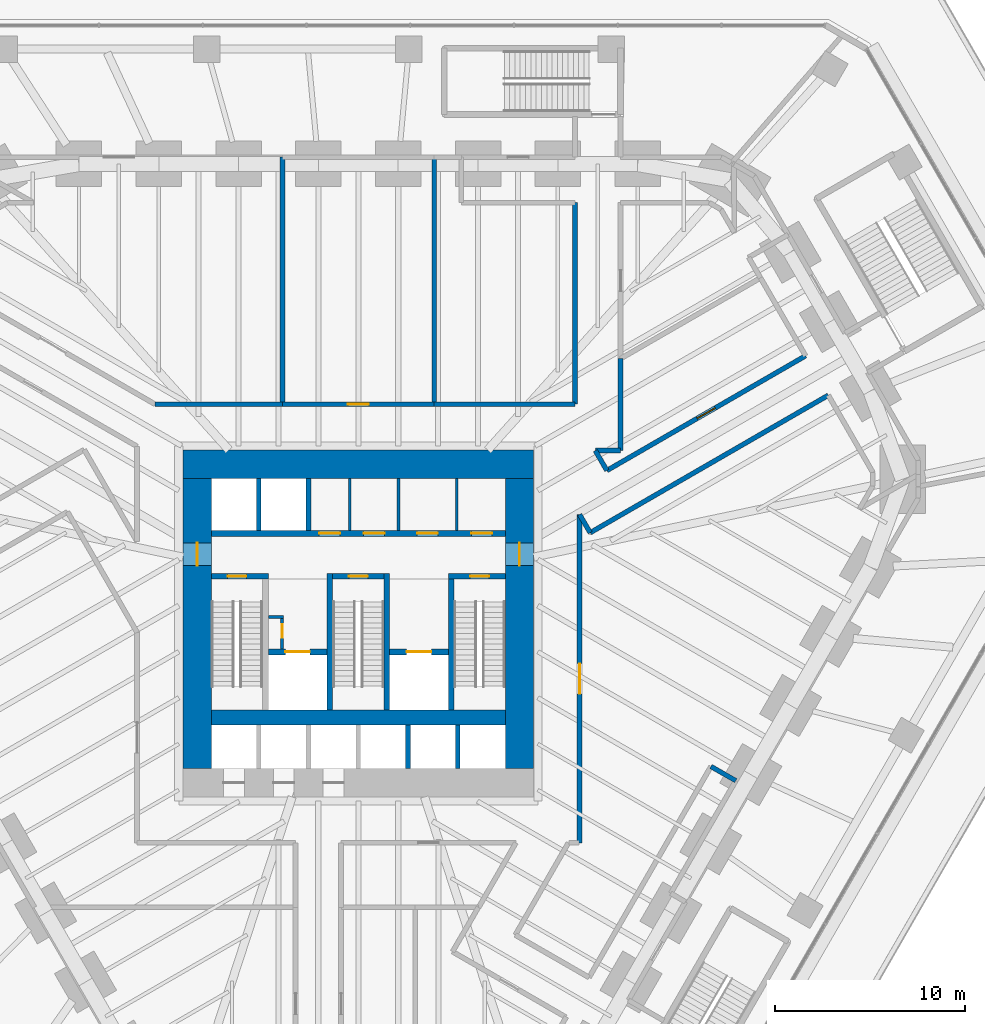
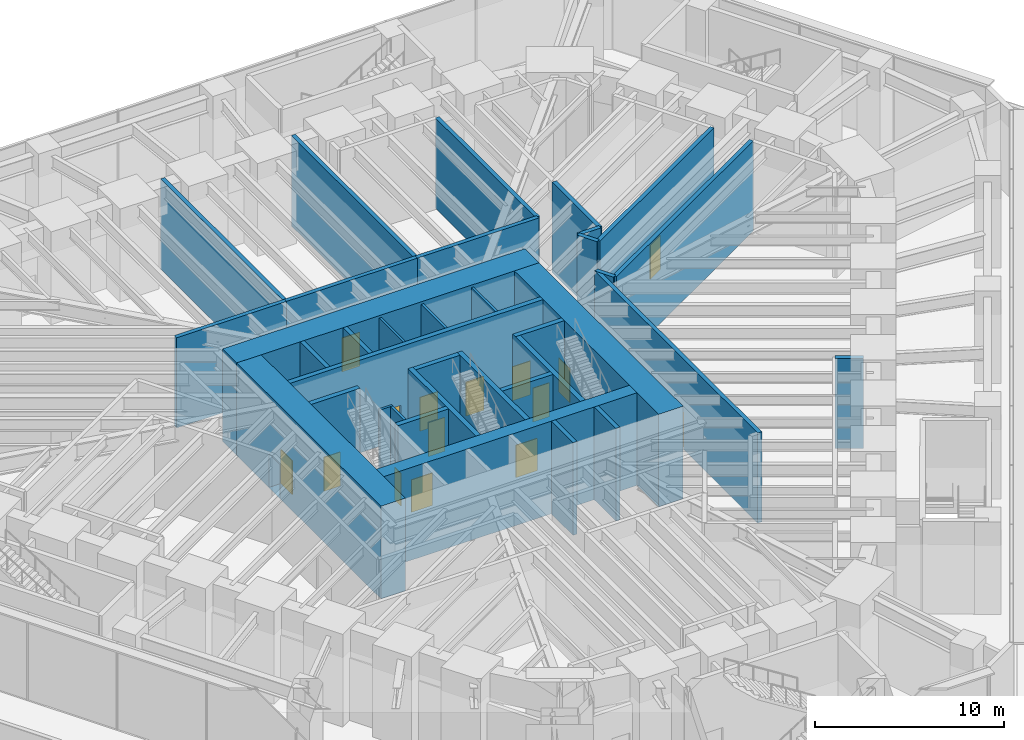
# One storey, part 16 of 24: 36 walls, 15 doors, 15 openings.
"""IFC4 building model written with IfcOpenShell, lengths in metres."""

from ifc_helpers import new_model, si_unit, direction, frame, frame_2d, origin, place, context, subcontext, project, spatial, rectangle, extrude, material, layer, layer_set, type_object, element, fill, save


model = new_model("IFC4")

# Units and contexts
model_context = context("Model", 3, precision=1e-05, world=origin(), true_north=direction((0.0, 1.0)))
body_context = subcontext(model_context, "Body", "Model", "MODEL_VIEW")
ifc_project = project(units=[si_unit("LENGTHUNIT", "METRE"), si_unit("AREAUNIT", "SQUARE_METRE"), si_unit("VOLUMEUNIT", "CUBIC_METRE"), si_unit("PLANEANGLEUNIT", "RADIAN"), si_unit("MASSUNIT", "GRAM", prefix="KILO")], contexts=[model_context])

# Site, building, storey
site_placement = place(None, origin())
site = spatial("IfcSite", under=ifc_project, at=site_placement, CompositionType="ELEMENT")
building_placement = place(site_placement, origin())
building = spatial("IfcBuilding", under=site, at=building_placement, Name="Sandreach Pilgrim Tower", CompositionType="ELEMENT")
storey_placement = place(building_placement, frame((0.0, 0.0, 12.0)))
storey = spatial("IfcBuildingStorey", under=building, at=storey_placement, Name="L02", CompositionType="ELEMENT", Elevation=12.0)

# Walls
ifc_material_1 = material(Name="Gypsum board on steel studs", Category="steel")
ifc_layer_1 = layer(ifc_material_1, 0.14990234375)
ifc_layer_set_1 = layer_set([ifc_layer_1], Name="Back of house wall 150")
wall_type_1 = type_object("IfcWallType", Name="Back of house wall 150", PredefinedType="PARTITIONING", material=ifc_layer_set_1)
for number, where, z_axis, x_axis, name in (
    (1, (-0.449951171875, 3.35009765625, 0.0), (0.0, 0.0, 1.0), (0.0, 1.0, 0.0), "Core room partition L02 1"),
    (2, (2.112548828125, 3.35009765625, 0.0), (0.0, 0.0, 1.0), (0.0, 1.0, 0.0), "Core room partition L02 2"),
    (3, (5.1875, 3.35009765625, 0.0), (0.0, 0.0, 1.0), (0.0, 1.0, 0.0), "Core room partition L02 3"),
):
    element("IfcWall", number, at=place(storey_placement, frame(where, z_axis=z_axis, x_axis=x_axis)), inside=storey, type_object=wall_type_1, Name=name, PredefinedType="PARTITIONING", context=body_context, shape_type="SweptSolid", body=[
        extrude(rectangle(XDim=2.75, YDim=0.14990234375, at=frame_2d((1.375, 0.0))), origin(), (0.0, 0.0, 1.0), 5.840087890625),
    ])
ifc_material_2 = material(Name="Concrete 10000 psi", Category="concrete")
ifc_layer_2 = layer(ifc_material_2, 0.300048828125)
ifc_layer_set_2 = layer_set([ifc_layer_2], Name="Core inner wall 300")
wall_type_2 = type_object("IfcWallType", Name="Core inner wall 300", PredefinedType="SHEAR", material=ifc_layer_set_2)
for number, where, z_axis, x_axis, name in (
    (4, (-1.5, -6.10009765625, 0.0), (0.0, 0.0, 1.0), (0.0, 1.0, 0.0), "Core wall I1 L02"),
    (5, (1.5, -6.10009765625, 0.0), (0.0, 0.0, 1.0), (0.0, 1.0, 0.0), "Core wall I2 L02"),
    (6, (4.89990234375, -6.10009765625, 0.0), (0.0, 0.0, 1.0), (0.0, 1.0, 0.0), "Core wall I3 L02"),
):
    element("IfcWall", number, at=place(storey_placement, frame(where, z_axis=z_axis, x_axis=x_axis)), inside=storey, type_object=wall_type_2, Name=name, PredefinedType="SHEAR", context=body_context, shape_type="SweptSolid", body=[
        extrude(rectangle(XDim=7.2001953125, YDim=0.300048828125, at=frame_2d((3.60009765625, 0.0))), origin(), (0.0, 0.0, 1.0), 6.0),
    ])

# Wall, opening, door
wall_1_placement = place(storey_placement, frame((-7.75, 0.949951171875, 0.0), z_axis=(0.0, 0.0, 1.0), x_axis=(1.0, 0.0, 0.0)))
wall_1 = element("IfcWall", 7, at=wall_1_placement, inside=storey, type_object=wall_type_2, Name="Core wall SN1 L02", PredefinedType="SHEAR", context=body_context, shape_type="SweptSolid", body=[
    extrude(rectangle(XDim=3.0, YDim=0.300048828125, at=frame_2d((1.5, 0.0))), origin(), (0.0, 0.0, 1.0), 6.0),
])
opening_1_placement = place(wall_1_placement, frame((0.85009765625, 0.0, 0.0)))
opening_1 = element("IfcOpeningElement", 8, at=opening_1_placement, cuts=wall_1, Name="Opening D10S-ST1", PredefinedType="OPENING", context=body_context, shape_type="SweptSolid", body=[
    extrude(rectangle(XDim=1.0, YDim=2.199951171875, at=frame_2d((0.5, 1.10009765625))), frame((0.0, 0.14990234375, 0.0), z_axis=(0.0, -1.0, 0.0), x_axis=(1.0, 0.0, 0.0)), (0.0, 0.0, 1.0), 0.300048828125),
])
ifc_material_3 = material(Name="Steel door and frame", Category="steel")
door_type_1 = type_object("IfcDoorType", Name="Stair door", OperationType="SINGLE_SWING_LEFT", PredefinedType="DOOR", material=ifc_material_3)
door_1_placement = place(opening_1_placement, origin())
door_1 = element("IfcDoor", 9, at=door_1_placement, inside=storey, type_object=door_type_1, Name="Stair door ST1 L02", OperationType="SINGLE_SWING_LEFT", OverallHeight=2.199951171875, OverallWidth=1.0, PredefinedType="DOOR", context=body_context, shape_type="SweptSolid", body=[
    extrude(rectangle(XDim=1.0, YDim=2.199951171875, at=frame_2d((0.5, 1.10009765625))), frame((0.0, 0.02490234375, 0.0), z_axis=(0.0, -1.0, 0.0), x_axis=(1.0, 0.0, 0.0)), (0.0, 0.0, 1.0), 0.050048828125),
])
fill(opening_1, door_1)

wall_2_placement = place(storey_placement, frame((-1.35009765625, 0.949951171875, 0.0), z_axis=(0.0, 0.0, 1.0), x_axis=(1.0, 0.0, 0.0)))
wall_2 = element("IfcWall", 10, at=wall_2_placement, inside=storey, type_object=wall_type_2, Name="Core wall SN3 L02", PredefinedType="SHEAR", context=body_context, shape_type="SweptSolid", body=[
    extrude(rectangle(XDim=2.7001953125, YDim=0.300048828125, at=frame_2d((1.35009765625, 0.0))), origin(), (0.0, 0.0, 1.0), 6.0),
])
opening_2_placement = place(wall_2_placement, frame((0.85009765625, 0.0, 0.0)))
opening_2 = element("IfcOpeningElement", 11, at=opening_2_placement, cuts=wall_2, Name="Opening D10S-ST3", PredefinedType="OPENING", context=body_context, shape_type="SweptSolid", body=[
    extrude(rectangle(XDim=1.0, YDim=2.199951171875, at=frame_2d((0.5, 1.10009765625))), frame((0.0, 0.14990234375, 0.0), z_axis=(0.0, -1.0, 0.0), x_axis=(1.0, 0.0, 0.0)), (0.0, 0.0, 1.0), 0.300048828125),
])
door_2_placement = place(opening_2_placement, origin())
door_2 = element("IfcDoor", 12, at=door_2_placement, inside=storey, type_object=door_type_1, Name="Stair door ST3 L02", OperationType="SINGLE_SWING_LEFT", OverallHeight=2.199951171875, OverallWidth=1.0, PredefinedType="DOOR", context=body_context, shape_type="SweptSolid", body=[
    extrude(rectangle(XDim=1.0, YDim=2.199951171875, at=frame_2d((0.5, 1.10009765625))), frame((0.0, 0.02490234375, 0.0), z_axis=(0.0, -1.0, 0.0), x_axis=(1.0, 0.0, 0.0)), (0.0, 0.0, 1.0), 0.050048828125),
])
fill(opening_2, door_2)

wall_3_placement = place(storey_placement, frame((4.75, 0.949951171875, 0.0), z_axis=(0.0, 0.0, 1.0), x_axis=(1.0, 0.0, 0.0)))
wall_3 = element("IfcWall", 13, at=wall_3_placement, inside=storey, type_object=wall_type_2, Name="Core wall SN2 L02", PredefinedType="SHEAR", context=body_context, shape_type="SweptSolid", body=[
    extrude(rectangle(XDim=3.0, YDim=0.300048828125, at=frame_2d((1.5, 0.0))), origin(), (0.0, 0.0, 1.0), 6.0),
])
opening_3_placement = place(wall_3_placement, frame((1.14990234375, 0.0, 0.0)))
opening_3 = element("IfcOpeningElement", 14, at=opening_3_placement, cuts=wall_3, Name="Opening D10S-ST2", PredefinedType="OPENING", context=body_context, shape_type="SweptSolid", body=[
    extrude(rectangle(XDim=1.0, YDim=2.199951171875, at=frame_2d((0.5, 1.10009765625))), frame((0.0, 0.14990234375, 0.0), z_axis=(0.0, -1.0, 0.0), x_axis=(1.0, 0.0, 0.0)), (0.0, 0.0, 1.0), 0.300048828125),
])
door_3_placement = place(opening_3_placement, origin())
door_3 = element("IfcDoor", 15, at=door_3_placement, inside=storey, type_object=door_type_1, Name="Stair door ST2 L02", OperationType="SINGLE_SWING_RIGHT", OverallHeight=2.199951171875, OverallWidth=1.0, PredefinedType="DOOR", context=body_context, shape_type="SweptSolid", body=[
    extrude(rectangle(XDim=1.0, YDim=2.199951171875, at=frame_2d((0.5, 1.10009765625))), frame((0.0, 0.02490234375, 0.0), z_axis=(0.0, -1.0, 0.0), x_axis=(1.0, 0.0, 0.0)), (0.0, 0.0, 1.0), 0.050048828125),
])
fill(opening_3, door_3)

wall_4_placement = place(storey_placement, frame((-4.75, -3.050048828125, 0.0), z_axis=(0.0, 0.0, 1.0), x_axis=(1.0, 0.0, 0.0)))
wall_4 = element("IfcWall", 16, at=wall_4_placement, inside=storey, type_object=wall_type_2, Name="Core wall FL1 L02", PredefinedType="SHEAR", context=body_context, shape_type="SweptSolid", body=[
    extrude(rectangle(XDim=3.10009765625, YDim=0.300048828125, at=frame_2d((1.550048828125, 0.0))), origin(), (0.0, 0.0, 1.0), 6.0),
])
opening_4_placement = place(wall_4_placement, frame((0.89990234375, 0.0, 0.0)))
opening_4 = element("IfcOpeningElement", 17, at=opening_4_placement, cuts=wall_4, Name="Opening LD13", PredefinedType="OPENING", context=body_context, shape_type="SweptSolid", body=[
    extrude(rectangle(XDim=1.300048828125, YDim=2.10009765625, at=frame_2d((0.64990234375, 1.050048828125))), frame((0.0, 0.14990234375, 0.0), z_axis=(0.0, -1.0, 0.0), x_axis=(1.0, 0.0, 0.0)), (0.0, 0.0, 1.0), 0.300048828125),
])
ifc_material_4 = material(Name="Steel door and frame", Category="steel")
door_type_2 = type_object("IfcDoorType", Name="Fire service lift landing door", OperationType="DOUBLE_DOOR_SLIDING", PredefinedType="DOOR", material=ifc_material_4)
door_4_placement = place(opening_4_placement, origin())
door_4 = element("IfcDoor", 18, at=door_4_placement, inside=storey, type_object=door_type_2, Name="Lift landing door FS1 L02", OperationType="DOUBLE_DOOR_SLIDING", OverallHeight=2.10009765625, OverallWidth=1.300048828125, PredefinedType="DOOR", context=body_context, shape_type="SweptSolid", body=[
    extrude(rectangle(XDim=1.300048828125, YDim=2.10009765625, at=frame_2d((0.64990234375, 1.050048828125))), frame((0.0, 0.02490234375, 0.0), z_axis=(0.0, -1.0, 0.0), x_axis=(1.0, 0.0, 0.0)), (0.0, 0.0, 1.0), 0.050048828125),
])
fill(opening_4, door_4)

wall_5_placement = place(storey_placement, frame((1.64990234375, -3.050048828125, 0.0), z_axis=(0.0, 0.0, 1.0), x_axis=(1.0, 0.0, 0.0)))
wall_5 = element("IfcWall", 19, at=wall_5_placement, inside=storey, type_object=wall_type_2, Name="Core wall FL2 L02", PredefinedType="SHEAR", context=body_context, shape_type="SweptSolid", body=[
    extrude(rectangle(XDim=3.10009765625, YDim=0.300048828125, at=frame_2d((1.550048828125, 0.0))), origin(), (0.0, 0.0, 1.0), 6.0),
])
opening_5_placement = place(wall_5_placement, frame((0.89990234375, 0.0, 0.0)))
opening_5 = element("IfcOpeningElement", 20, at=opening_5_placement, cuts=wall_5, Name="Opening LD13", PredefinedType="OPENING", context=body_context, shape_type="SweptSolid", body=[
    extrude(rectangle(XDim=1.300048828125, YDim=2.10009765625, at=frame_2d((0.64990234375, 1.050048828125))), frame((0.0, 0.14990234375, 0.0), z_axis=(0.0, -1.0, 0.0), x_axis=(1.0, 0.0, 0.0)), (0.0, 0.0, 1.0), 0.300048828125),
])
door_5_placement = place(opening_5_placement, origin())
door_5 = element("IfcDoor", 21, at=door_5_placement, inside=storey, type_object=door_type_2, Name="Lift landing door FS2 L02", OperationType="DOUBLE_DOOR_SLIDING", OverallHeight=2.10009765625, OverallWidth=1.300048828125, PredefinedType="DOOR", context=body_context, shape_type="SweptSolid", body=[
    extrude(rectangle(XDim=1.300048828125, YDim=2.10009765625, at=frame_2d((0.64990234375, 1.050048828125))), frame((0.0, 0.02490234375, 0.0), z_axis=(0.0, -1.0, 0.0), x_axis=(1.0, 0.0, 0.0)), (0.0, 0.0, 1.0), 0.050048828125),
])
fill(opening_5, door_5)

# Wall, openings, doors
wall_6_placement = place(storey_placement, frame((-7.75, 3.199951171875, 0.0), z_axis=(0.0, 0.0, 1.0), x_axis=(1.0, 0.0, 0.0)))
wall_6 = element("IfcWall", 22, at=wall_6_placement, inside=storey, type_object=wall_type_2, Name="Core wall PN L02", PredefinedType="SHEAR", context=body_context, shape_type="SweptSolid", body=[
    extrude(rectangle(XDim=15.5, YDim=0.300048828125, at=frame_2d((7.75, 0.0))), origin(), (0.0, 0.0, 1.0), 6.0),
])
opening_6_placement = place(wall_6_placement, frame((5.6875, 0.0, 0.0)))
opening_6 = element("IfcOpeningElement", 23, at=opening_6_placement, cuts=wall_6, Name="Opening D11L", PredefinedType="OPENING", context=body_context, shape_type="SweptSolid", body=[
    extrude(rectangle(XDim=1.10009765625, YDim=2.199951171875, at=frame_2d((0.550048828125, 1.10009765625))), frame((0.0, 0.14990234375, 0.0), z_axis=(0.0, -1.0, 0.0), x_axis=(1.0, 0.0, 0.0)), (0.0, 0.0, 1.0), 0.300048828125),
])
opening_7_placement = place(wall_6_placement, frame((8.03125, 0.0, 0.0)))
opening_7 = element("IfcOpeningElement", 24, at=opening_7_placement, cuts=wall_6, Name="Opening D11L", PredefinedType="OPENING", context=body_context, shape_type="SweptSolid", body=[
    extrude(rectangle(XDim=1.10009765625, YDim=2.199951171875, at=frame_2d((0.550048828125, 1.10009765625))), frame((0.0, 0.14990234375, 0.0), z_axis=(0.0, -1.0, 0.0), x_axis=(1.0, 0.0, 0.0)), (0.0, 0.0, 1.0), 0.300048828125),
])
opening_8_placement = place(wall_6_placement, frame((10.85009765625, 0.0, 0.0)))
opening_8 = element("IfcOpeningElement", 25, at=opening_8_placement, cuts=wall_6, Name="Opening D11L", PredefinedType="OPENING", context=body_context, shape_type="SweptSolid", body=[
    extrude(rectangle(XDim=1.10009765625, YDim=2.199951171875, at=frame_2d((0.550048828125, 1.10009765625))), frame((0.0, 0.14990234375, 0.0), z_axis=(0.0, -1.0, 0.0), x_axis=(1.0, 0.0, 0.0)), (0.0, 0.0, 1.0), 0.300048828125),
])
opening_9_placement = place(wall_6_placement, frame((13.706298828125, 0.0, 0.0)))
opening_9 = element("IfcOpeningElement", 26, at=opening_9_placement, cuts=wall_6, Name="Opening D11L", PredefinedType="OPENING", context=body_context, shape_type="SweptSolid", body=[
    extrude(rectangle(XDim=1.10009765625, YDim=2.199951171875, at=frame_2d((0.550048828125, 1.10009765625))), frame((0.0, 0.14990234375, 0.0), z_axis=(0.0, -1.0, 0.0), x_axis=(1.0, 0.0, 0.0)), (0.0, 0.0, 1.0), 0.300048828125),
])
ifc_material_5 = material(Name="Steel door and frame, smoke seals", Category="steel")
door_type_3 = type_object("IfcDoorType", Name="Core room door", OperationType="SINGLE_SWING_LEFT", PredefinedType="DOOR", material=ifc_material_5)
door_6_placement = place(opening_6_placement, origin())
door_6 = element("IfcDoor", 27, at=door_6_placement, inside=storey, type_object=door_type_3, Name="Door back of house store 02K1", OperationType="SINGLE_SWING_LEFT", OverallHeight=2.199951171875, OverallWidth=1.10009765625, PredefinedType="DOOR", context=body_context, shape_type="SweptSolid", body=[
    extrude(rectangle(XDim=1.10009765625, YDim=2.199951171875, at=frame_2d((0.550048828125, 1.10009765625))), frame((0.0, 0.02490234375, 0.0), z_axis=(0.0, -1.0, 0.0), x_axis=(1.0, 0.0, 0.0)), (0.0, 0.0, 1.0), 0.050048828125),
])
fill(opening_6, door_6)
door_7_placement = place(opening_7_placement, origin())
door_7 = element("IfcDoor", 28, at=door_7_placement, inside=storey, type_object=door_type_3, Name="Door cleaners store 02K2", OperationType="SINGLE_SWING_RIGHT", OverallHeight=2.199951171875, OverallWidth=1.10009765625, PredefinedType="DOOR", context=body_context, shape_type="SweptSolid", body=[
    extrude(rectangle(XDim=1.10009765625, YDim=2.199951171875, at=frame_2d((0.550048828125, 1.10009765625))), frame((0.0, 0.02490234375, 0.0), z_axis=(0.0, -1.0, 0.0), x_axis=(1.0, 0.0, 0.0)), (0.0, 0.0, 1.0), 0.050048828125),
])
fill(opening_7, door_7)
door_8_placement = place(opening_8_placement, origin())
door_8 = element("IfcDoor", 29, at=door_8_placement, inside=storey, type_object=door_type_3, Name="Door storage room 02K3", OperationType="SINGLE_SWING_RIGHT", OverallHeight=2.199951171875, OverallWidth=1.10009765625, PredefinedType="DOOR", context=body_context, shape_type="SweptSolid", body=[
    extrude(rectangle(XDim=1.10009765625, YDim=2.199951171875, at=frame_2d((0.550048828125, 1.10009765625))), frame((0.0, 0.02490234375, 0.0), z_axis=(0.0, -1.0, 0.0), x_axis=(1.0, 0.0, 0.0)), (0.0, 0.0, 1.0), 0.050048828125),
])
fill(opening_8, door_8)
door_9_placement = place(opening_9_placement, origin())
door_9 = element("IfcDoor", 30, at=door_9_placement, inside=storey, type_object=door_type_3, Name="Door refuse room 02K4", OperationType="SINGLE_SWING_RIGHT", OverallHeight=2.199951171875, OverallWidth=1.10009765625, PredefinedType="DOOR", context=body_context, shape_type="SweptSolid", body=[
    extrude(rectangle(XDim=1.10009765625, YDim=2.199951171875, at=frame_2d((0.550048828125, 1.10009765625))), frame((0.0, 0.02490234375, 0.0), z_axis=(0.0, -1.0, 0.0), x_axis=(1.0, 0.0, 0.0)), (0.0, 0.0, 1.0), 0.050048828125),
])
fill(opening_9, door_9)

# Walls
ifc_material_6 = material(Name="Concrete 10000 psi", Category="concrete")
ifc_layer_3 = layer(ifc_material_6, 0.800048828125)
ifc_layer_set_3 = layer_set([ifc_layer_3], Name="Core mid wall 800")
wall_type_3 = type_object("IfcWallType", Name="Core mid wall 800", PredefinedType="SHEAR", material=ifc_layer_set_3)
wall_7_placement = place(storey_placement, frame((-7.75, -6.5, 0.0), z_axis=(0.0, 0.0, 1.0), x_axis=(1.0, 0.0, 0.0)))
element("IfcWall", 31, at=wall_7_placement, inside=storey, type_object=wall_type_3, Name="Core wall M L02", PredefinedType="SHEAR", context=body_context, shape_type="SweptSolid", body=[
    extrude(rectangle(XDim=15.5, YDim=0.800048828125, at=frame_2d((7.75, 0.0))), origin(), (0.0, 0.0, 1.0), 6.0),
])
ifc_material_7 = material(Name="Concrete 10000 psi", Category="concrete")
ifc_layer_4 = layer(ifc_material_7, 1.5)
ifc_layer_set_4 = layer_set([ifc_layer_4], Name="Core wall 1500")
wall_type_4 = type_object("IfcWallType", Name="Core wall 1500", PredefinedType="SHEAR", material=ifc_layer_set_4)
wall_8_placement = place(storey_placement, frame((-9.25, 6.85009765625, 0.0), z_axis=(0.0, 0.0, 1.0), x_axis=(1.0, 0.0, 0.0)))
element("IfcWall", 32, at=wall_8_placement, inside=storey, type_object=wall_type_4, Name="Core wall N L02", PredefinedType="SHEAR", context=body_context, shape_type="SweptSolid", body=[
    extrude(rectangle(XDim=18.5, YDim=1.5, at=frame_2d((9.25, 0.0))), origin(), (0.0, 0.0, 1.0), 6.0),
])

# Wall, opening, door
wall_9_placement = place(storey_placement, frame((-8.5, -9.199951171875, 0.0), z_axis=(0.0, 0.0, 1.0), x_axis=(0.0, 1.0, 0.0)))
wall_9 = element("IfcWall", 33, at=wall_9_placement, inside=storey, type_object=wall_type_4, Name="Core wall W L02", PredefinedType="SHEAR", context=body_context, shape_type="SweptSolid", body=[
    extrude(rectangle(XDim=15.300048828125, YDim=1.5, at=frame_2d((7.64990234375, 0.0))), origin(), (0.0, 0.0, 1.0), 6.0),
])
opening_10_placement = place(wall_9_placement, frame((10.699951171875, 0.0, 0.0)))
opening_10 = element("IfcOpeningElement", 34, at=opening_10_placement, cuts=wall_9, Name="Opening D12F-W", PredefinedType="OPENING", context=body_context, shape_type="SweptSolid", body=[
    extrude(rectangle(XDim=1.199951171875, YDim=2.199951171875, at=frame_2d((0.60009765625, 1.10009765625))), frame((0.0, 0.75, 0.0), z_axis=(0.0, -1.0, 0.0), x_axis=(1.0, 0.0, 0.0)), (0.0, 0.0, 1.0), 1.5),
])
ifc_material_8 = material(Name="Steel door and frame", Category="steel")
door_type_4 = type_object("IfcDoorType", Name="Fire lobby door", OperationType="SINGLE_SWING_LEFT", PredefinedType="DOOR", material=ifc_material_8)
door_10_placement = place(opening_10_placement, origin())
door_10 = element("IfcDoor", 35, at=door_10_placement, inside=storey, type_object=door_type_4, Name="Fire service lobby door W L02", OperationType="SINGLE_SWING_RIGHT", OverallHeight=2.199951171875, OverallWidth=1.199951171875, PredefinedType="DOOR", context=body_context, shape_type="SweptSolid", body=[
    extrude(rectangle(XDim=1.199951171875, YDim=2.199951171875, at=frame_2d((0.60009765625, 1.10009765625))), frame((0.0, 0.02490234375, 0.0), z_axis=(0.0, -1.0, 0.0), x_axis=(1.0, 0.0, 0.0)), (0.0, 0.0, 1.0), 0.050048828125),
])
fill(opening_10, door_10)

wall_10_placement = place(storey_placement, frame((8.5, -9.199951171875, 0.0), z_axis=(0.0, 0.0, 1.0), x_axis=(0.0, 1.0, 0.0)))
wall_10 = element("IfcWall", 36, at=wall_10_placement, inside=storey, type_object=wall_type_4, Name="Core wall E L02", PredefinedType="SHEAR", context=body_context, shape_type="SweptSolid", body=[
    extrude(rectangle(XDim=15.300048828125, YDim=1.5, at=frame_2d((7.64990234375, 0.0))), origin(), (0.0, 0.0, 1.0), 6.0),
])
opening_11_placement = place(wall_10_placement, frame((10.699951171875, 0.0, 0.0)))
opening_11 = element("IfcOpeningElement", 37, at=opening_11_placement, cuts=wall_10, Name="Opening D12F-E", PredefinedType="OPENING", context=body_context, shape_type="SweptSolid", body=[
    extrude(rectangle(XDim=1.199951171875, YDim=2.199951171875, at=frame_2d((0.60009765625, 1.10009765625))), frame((0.0, 0.75, 0.0), z_axis=(0.0, -1.0, 0.0), x_axis=(1.0, 0.0, 0.0)), (0.0, 0.0, 1.0), 1.5),
])
door_11_placement = place(opening_11_placement, origin())
door_11 = element("IfcDoor", 38, at=door_11_placement, inside=storey, type_object=door_type_4, Name="Fire service lobby door E L02", OperationType="SINGLE_SWING_RIGHT", OverallHeight=2.199951171875, OverallWidth=1.199951171875, PredefinedType="DOOR", context=body_context, shape_type="SweptSolid", body=[
    extrude(rectangle(XDim=1.199951171875, YDim=2.199951171875, at=frame_2d((0.60009765625, 1.10009765625))), frame((0.0, 0.02490234375, 0.0), z_axis=(0.0, -1.0, 0.0), x_axis=(1.0, 0.0, 0.0)), (0.0, 0.0, 1.0), 0.050048828125),
])
fill(opening_11, door_11)

# Walls
ifc_material_9 = material(Name="Acoustic gypsum board wall, double frame", Category="gypsum")
ifc_layer_5 = layer(ifc_material_9, 0.25)
ifc_layer_set_5 = layer_set([ifc_layer_5], Name="Hall partition 250")
wall_type_5 = type_object("IfcWallType", Name="Hall partition 250", PredefinedType="PARTITIONING", material=ifc_layer_set_5)
wall_11_placement = place(storey_placement, frame((-4.0, 10.02001953125, 0.0), z_axis=(0.0, 0.0, 1.0), x_axis=(-1.0, 0.0, 0.0)))
element("IfcWall", 39, at=wall_11_placement, inside=storey, type_object=wall_type_5, Name="Hall partition L02-047", PredefinedType="PARTITIONING", context=body_context, shape_type="SweptSolid", body=[
    extrude(rectangle(XDim=6.72998046875, YDim=0.25, at=frame_2d((3.364990234375, 0.0))), origin(), (0.0, 0.0, 1.0), 5.840087890625),
])
wall_12_placement = place(storey_placement, frame((-4.0, 10.0400390625, 0.0), z_axis=(0.0, 0.0, 1.0), x_axis=(0.0, 1.0, 0.0)))
element("IfcWall", 40, at=wall_12_placement, inside=storey, type_object=wall_type_5, Name="Hall partition L02-048", PredefinedType="PARTITIONING", context=body_context, shape_type="SweptSolid", body=[
    extrude(rectangle(XDim=13.010009765625, YDim=0.25, at=frame_2d((6.5048828125, 0.0))), origin(), (0.0, 0.0, 1.0), 5.840087890625),
])

# Wall, opening, door
wall_13_placement = place(storey_placement, frame((4.0, 10.02001953125, 0.0), z_axis=(0.0, 0.0, 1.0), x_axis=(-1.0, 0.0, 0.0)))
wall_13 = element("IfcWall", 41, at=wall_13_placement, inside=storey, type_object=wall_type_5, Name="Hall partition L02-065", PredefinedType="PARTITIONING", context=body_context, shape_type="SweptSolid", body=[
    extrude(rectangle(XDim=8.0, YDim=0.25, at=frame_2d((4.0, 0.0))), origin(), (0.0, 0.0, 1.0), 5.840087890625),
])
opening_12_placement = place(wall_13_placement, frame((3.449951171875, 0.0, 0.0)))
opening_12 = element("IfcOpeningElement", 42, at=opening_12_placement, cuts=wall_13, Name="Opening D11H-R1", PredefinedType="OPENING", context=body_context, shape_type="SweptSolid", body=[
    extrude(rectangle(XDim=1.10009765625, YDim=2.199951171875, at=frame_2d((0.550048828125, 1.10009765625))), frame((0.0, 0.125, 0.0), z_axis=(0.0, -1.0, 0.0), x_axis=(1.0, 0.0, 0.0)), (0.0, 0.0, 1.0), 0.25),
])
ifc_material_10 = material(Name="Steel door and frame", Category="steel")
door_type_5 = type_object("IfcDoorType", Name="Back of house door", OperationType="SINGLE_SWING_LEFT", PredefinedType="DOOR", material=ifc_material_10)
door_12_placement = place(opening_12_placement, origin())
door_12 = element("IfcDoor", 43, at=door_12_placement, inside=storey, type_object=door_type_5, Name="Door 02R1", OperationType="SINGLE_SWING_LEFT", OverallHeight=2.199951171875, OverallWidth=1.10009765625, PredefinedType="DOOR", context=body_context, shape_type="SweptSolid", body=[
    extrude(rectangle(XDim=1.10009765625, YDim=2.199951171875, at=frame_2d((0.550048828125, 1.10009765625))), frame((0.0, 0.02490234375, 0.0), z_axis=(0.0, -1.0, 0.0), x_axis=(1.0, 0.0, 0.0)), (0.0, 0.0, 1.0), 0.050048828125),
])
fill(opening_12, door_12)

# Walls
wall_14_placement = place(storey_placement, frame((4.0, 23.050048828125, 0.0), z_axis=(0.0, 0.0, 1.0), x_axis=(0.0, -1.0, 0.0)))
element("IfcWall", 44, at=wall_14_placement, inside=storey, type_object=wall_type_5, Name="Hall partition L02-067", PredefinedType="PARTITIONING", context=body_context, shape_type="SweptSolid", body=[
    extrude(rectangle(XDim=13.030029296875, YDim=0.25, at=frame_2d((6.51513671875, 0.0))), origin(), (0.0, 0.0, 1.0), 5.840087890625),
])
wall_15_placement = place(storey_placement, frame((11.429931640625, 10.02001953125, 0.0), z_axis=(0.0, 0.0, 1.0), x_axis=(-1.0, 0.0, 0.0)))
element("IfcWall", 45, at=wall_15_placement, inside=storey, type_object=wall_type_5, Name="Hall partition L02-083", PredefinedType="PARTITIONING", context=body_context, shape_type="SweptSolid", body=[
    extrude(rectangle(XDim=7.429931640625, YDim=0.25, at=frame_2d((3.71484375, 0.0))), origin(), (0.0, 0.0, 1.0), 5.840087890625),
])
wall_16_placement = place(storey_placement, frame((11.429931640625, 20.64990234375, 0.0), z_axis=(0.0, 0.0, 1.0), x_axis=(0.0, -1.0, 0.0)))
element("IfcWall", 46, at=wall_16_placement, inside=storey, type_object=wall_type_5, Name="Hall partition L02-084", PredefinedType="PARTITIONING", context=body_context, shape_type="SweptSolid", body=[
    extrude(rectangle(XDim=10.6298828125, YDim=0.25, at=frame_2d((5.31494140625, 0.0))), origin(), (0.0, 0.0, 1.0), 5.840087890625),
])

# Wall, opening, door
wall_17_placement = place(storey_placement, frame((11.669921875, -13.1201171875, 0.0), z_axis=(0.0, 0.0, 1.0), x_axis=(0.0, 1.0, 0.0)))
wall_17 = element("IfcWall", 47, at=wall_17_placement, inside=storey, type_object=wall_type_5, Name="Hall partition L02-087", PredefinedType="PARTITIONING", context=body_context, shape_type="SweptSolid", body=[
    extrude(rectangle(XDim=17.320068359375, YDim=0.25, at=frame_2d((8.66015625, 0.0))), origin(), (0.0, 0.0, 1.0), 5.840087890625),
])
opening_13_placement = place(wall_17_placement, frame((7.860107421875, 0.0, 0.0)))
opening_13 = element("IfcOpeningElement", 48, at=opening_13_placement, cuts=wall_17, Name="Opening D16-B6", PredefinedType="OPENING", context=body_context, shape_type="SweptSolid", body=[
    extrude(rectangle(XDim=1.60009765625, YDim=2.39990234375, at=frame_2d((0.800048828125, 1.199951171875))), frame((0.0, 0.125, 0.0), z_axis=(0.0, -1.0, 0.0), x_axis=(1.0, 0.0, 0.0)), (0.0, 0.0, 1.0), 0.25),
])
ifc_material_11 = material(Name="Steel door and frame", Category="steel")
door_type_6 = type_object("IfcDoorType", Name="Hall double door", OperationType="DOUBLE_DOOR_SINGLE_SWING", PredefinedType="DOOR", material=ifc_material_11)
door_13_placement = place(opening_13_placement, origin())
door_13 = element("IfcDoor", 49, at=door_13_placement, inside=storey, type_object=door_type_6, Name="Door 02B6", OperationType="DOUBLE_DOOR_SINGLE_SWING", OverallHeight=2.39990234375, OverallWidth=1.60009765625, PredefinedType="DOOR", context=body_context, shape_type="SweptSolid", body=[
    extrude(rectangle(XDim=1.60009765625, YDim=2.39990234375, at=frame_2d((0.800048828125, 1.199951171875))), frame((0.0, 0.02490234375, 0.0), z_axis=(0.0, -1.0, 0.0), x_axis=(1.0, 0.0, 0.0)), (0.0, 0.0, 1.0), 0.050048828125),
])
fill(opening_13, door_13)

# Walls
wall_18_placement = place(storey_placement, frame((11.669921875, 4.199951171875, 0.0), z_axis=(0.0, 0.0, 1.0), x_axis=(0.50392565776, -0.863747029779, 0.0)))
element("IfcWall", 50, at=wall_18_placement, inside=storey, type_object=wall_type_5, Name="Hall partition L02-088", PredefinedType="PARTITIONING", context=body_context, shape_type="SweptSolid", body=[
    extrude(rectangle(XDim=1.111328125, YDim=0.25, at=frame_2d((0.5556640625, 0.0))), origin(), (0.0, 0.0, 1.0), 5.840087890625),
])
wall_19_placement = place(storey_placement, frame((12.22998046875, 3.239990234375, 0.0), z_axis=(0.0, 0.0, 1.0), x_axis=(0.866071776036, 0.499919672301, 0.0)))
element("IfcWall", 51, at=wall_19_placement, inside=storey, type_object=wall_type_5, Name="Hall partition L02-090", PredefinedType="PARTITIONING", context=body_context, shape_type="SweptSolid", body=[
    extrude(rectangle(XDim=14.50244140625, YDim=0.25, at=frame_2d((7.251220703125, 0.0))), origin(), (0.0, 0.0, 1.0), 5.840087890625),
])
wall_20_placement = place(storey_placement, frame((12.5, 7.570068359375, 0.0), z_axis=(0.0, 0.0, 1.0), x_axis=(1.0, 0.0, 0.0)))
element("IfcWall", 52, at=wall_20_placement, inside=storey, type_object=wall_type_5, Name="Hall partition L02-091", PredefinedType="PARTITIONING", context=body_context, shape_type="SweptSolid", body=[
    extrude(rectangle(XDim=1.330078125, YDim=0.25, at=frame_2d((0.6650390625, 0.0))), origin(), (0.0, 0.0, 1.0), 5.840087890625),
])
wall_21_placement = place(storey_placement, frame((13.110107421875, 6.52001953125, 0.0), z_axis=(0.0, 0.0, 1.0), x_axis=(-0.502382838514, 0.864645293497, 0.0)))
element("IfcWall", 53, at=wall_21_placement, inside=storey, type_object=wall_type_5, Name="Hall partition L02-094", PredefinedType="PARTITIONING", context=body_context, shape_type="SweptSolid", body=[
    extrude(rectangle(XDim=1.21435546875, YDim=0.25, at=frame_2d((0.607177734375, 0.0))), origin(), (0.0, 0.0, 1.0), 5.840087890625),
])
wall_22_placement = place(storey_placement, frame((13.830078125, 7.570068359375, 0.0), z_axis=(0.0, 0.0, 1.0), x_axis=(0.0, 1.0, 0.0)))
element("IfcWall", 54, at=wall_22_placement, inside=storey, type_object=wall_type_5, Name="Hall partition L02-095", PredefinedType="PARTITIONING", context=body_context, shape_type="SweptSolid", body=[
    extrude(rectangle(XDim=4.849853515625, YDim=0.25, at=frame_2d((2.4248046875, 0.0))), origin(), (0.0, 0.0, 1.0), 5.840087890625),
])
wall_23_placement = place(storey_placement, frame((19.909912109375, -9.840087890625, 0.0), z_axis=(0.0, 0.0, 1.0), x_axis=(-0.867804826475, 0.496905205393, 0.0)))
element("IfcWall", 55, at=wall_23_placement, inside=storey, type_object=wall_type_5, Name="Hall partition L02-111", PredefinedType="PARTITIONING", context=body_context, shape_type="SweptSolid", body=[
    extrude(rectangle(XDim=1.50927734375, YDim=0.25, at=frame_2d((0.754638671875, 0.0))), origin(), (0.0, 0.0, 1.0), 5.840087890625),
])

# Wall, opening, door
wall_24_placement = place(storey_placement, frame((23.590087890625, 12.570068359375, 0.0), z_axis=(0.0, 0.0, 1.0), x_axis=(-0.866045825216, -0.499964627375, 0.0)))
wall_24 = element("IfcWall", 56, at=wall_24_placement, inside=storey, type_object=wall_type_5, Name="Hall partition L02-117", PredefinedType="PARTITIONING", context=body_context, shape_type="SweptSolid", body=[
    extrude(rectangle(XDim=12.10107421875, YDim=0.25, at=frame_2d((6.050537109375, 0.0))), origin(), (0.0, 0.0, 1.0), 5.840087890625),
])
opening_14_placement = place(wall_24_placement, frame((5.50048828125, 0.0, 0.0)))
opening_14 = element("IfcOpeningElement", 57, at=opening_14_placement, cuts=wall_24, Name="Opening D11H-N1", PredefinedType="OPENING", context=body_context, shape_type="SweptSolid", body=[
    extrude(rectangle(XDim=1.10009765625, YDim=2.199951171875, at=frame_2d((0.550048828125, 1.10009765625))), frame((0.0, 0.125, 0.0), z_axis=(0.0, -1.0, 0.0), x_axis=(1.0, 0.0, 0.0)), (0.0, 0.0, 1.0), 0.25),
])
door_14_placement = place(opening_14_placement, origin())
door_14 = element("IfcDoor", 58, at=door_14_placement, inside=storey, type_object=door_type_5, Name="Door 02N1", OperationType="SINGLE_SWING_LEFT", OverallHeight=2.199951171875, OverallWidth=1.10009765625, PredefinedType="DOOR", context=body_context, shape_type="SweptSolid", body=[
    extrude(rectangle(XDim=1.10009765625, YDim=2.199951171875, at=frame_2d((0.550048828125, 1.10009765625))), frame((0.0, 0.02490234375, 0.0), z_axis=(0.0, -1.0, 0.0), x_axis=(1.0, 0.0, 0.0)), (0.0, 0.0, 1.0), 0.050048828125),
])
fill(opening_14, door_14)

ifc_material_12 = material(Name="Gypsum shaft wall on steel studs, shaft liner board", Category="steel")
ifc_layer_6 = layer(ifc_material_12, 0.14990234375)
ifc_layer_set_6 = layer_set([ifc_layer_6], Name="Riser shaft wall 150")
wall_type_6 = type_object("IfcWallType", Name="Riser shaft wall 150", PredefinedType="PARTITIONING", material=ifc_layer_set_6)
wall_25_placement = place(storey_placement, frame((-4.02490234375, -2.89990234375, 0.0), z_axis=(0.0, 0.0, 1.0), x_axis=(0.0, 1.0, 0.0)))
wall_25 = element("IfcWall", 59, at=wall_25_placement, inside=storey, type_object=wall_type_6, Name="Riser partition L02 side", PredefinedType="PARTITIONING", context=body_context, shape_type="SweptSolid", body=[
    extrude(rectangle(XDim=1.77490234375, YDim=0.14990234375, at=frame_2d((0.887451171875, 0.0))), origin(), (0.0, 0.0, 1.0), 5.840087890625),
])
opening_15_placement = place(wall_25_placement, frame((0.60009765625, 0.0, 0.0)))
opening_15 = element("IfcOpeningElement", 60, at=opening_15_placement, cuts=wall_25, Name="Opening D07R", PredefinedType="OPENING", context=body_context, shape_type="SweptSolid", body=[
    extrude(rectangle(XDim=0.699951171875, YDim=2.10009765625, at=frame_2d((0.35009765625, 1.050048828125))), frame((0.0, 0.074951171875, 0.0), z_axis=(0.0, -1.0, 0.0), x_axis=(1.0, 0.0, 0.0)), (0.0, 0.0, 1.0), 0.14990234375),
])
ifc_material_13 = material(Name="Steel door and frame, smoke seals", Category="steel")
door_type_7 = type_object("IfcDoorType", Name="Riser access door", OperationType="SINGLE_SWING_RIGHT", PredefinedType="DOOR", material=ifc_material_13)
door_15_placement = place(opening_15_placement, origin())
door_15 = element("IfcDoor", 61, at=door_15_placement, inside=storey, type_object=door_type_7, Name="Door riser 02ER", OperationType="SINGLE_SWING_RIGHT", OverallHeight=2.10009765625, OverallWidth=0.699951171875, PredefinedType="DOOR", context=body_context, shape_type="SweptSolid", body=[
    extrude(rectangle(XDim=0.699951171875, YDim=2.10009765625, at=frame_2d((0.35009765625, 1.050048828125))), frame((0.0, 0.02490234375, 0.0), z_axis=(0.0, -1.0, 0.0), x_axis=(1.0, 0.0, 0.0)), (0.0, 0.0, 1.0), 0.050048828125),
])
fill(opening_15, door_15)

# Walls
wall_26_placement = place(storey_placement, frame((-4.75, -1.199951171875, 0.0), z_axis=(0.0, 0.0, 1.0), x_axis=(1.0, 0.0, 0.0)))
element("IfcWall", 62, at=wall_26_placement, inside=storey, type_object=wall_type_6, Name="Riser partition L02 front", PredefinedType="PARTITIONING", context=body_context, shape_type="SweptSolid", body=[
    extrude(rectangle(XDim=0.800048828125, YDim=0.14990234375, at=frame_2d((0.39990234375, 0.0))), origin(), (0.0, 0.0, 1.0), 5.840087890625),
])
ifc_material_14 = material(Name="Gypsum shaft wall on steel studs, two layers of shaft liner board", Category="steel")
ifc_layer_7 = layer(ifc_material_14, 0.25)
ifc_layer_set_7 = layer_set([ifc_layer_7], Name="Shaft partition 250")
wall_type_7 = type_object("IfcWallType", Name="Shaft partition 250", PredefinedType="PARTITIONING", material=ifc_layer_set_7)
for number, where, z_axis, x_axis, name in (
    (63, (-5.25, 3.35009765625, 0.0), (0.0, 0.0, 1.0), (0.0, 1.0, 0.0), "Shaft partition NS0 L02"),
    (64, (-2.625, 3.35009765625, 0.0), (0.0, 0.0, 1.0), (0.0, 1.0, 0.0), "Shaft partition NS1 L02"),
):
    element("IfcWall", number, at=place(storey_placement, frame(where, z_axis=z_axis, x_axis=x_axis)), inside=storey, type_object=wall_type_7, Name=name, PredefinedType="PARTITIONING", context=body_context, shape_type="SweptSolid", body=[
        extrude(rectangle(XDim=2.75, YDim=0.25, at=frame_2d((1.375, 0.0))), origin(), (0.0, 0.0, 1.0), 6.0),
    ])
for number, where, z_axis, x_axis, name in (
    (65, (2.625, -9.199951171875, 0.0), (0.0, 0.0, 1.0), (0.0, 1.0, 0.0), "Shaft partition XS3 L02"),
    (66, (5.25, -9.199951171875, 0.0), (0.0, 0.0, 1.0), (0.0, 1.0, 0.0), "Shaft partition XS4 L02"),
):
    element("IfcWall", number, at=place(storey_placement, frame(where, z_axis=z_axis, x_axis=x_axis)), inside=storey, type_object=wall_type_7, Name=name, PredefinedType="PARTITIONING", context=body_context, shape_type="SweptSolid", body=[
        extrude(rectangle(XDim=2.300048828125, YDim=0.25, at=frame_2d((1.14990234375, 0.0))), origin(), (0.0, 0.0, 1.0), 6.0),
    ])

save(model, "model.ifc")
